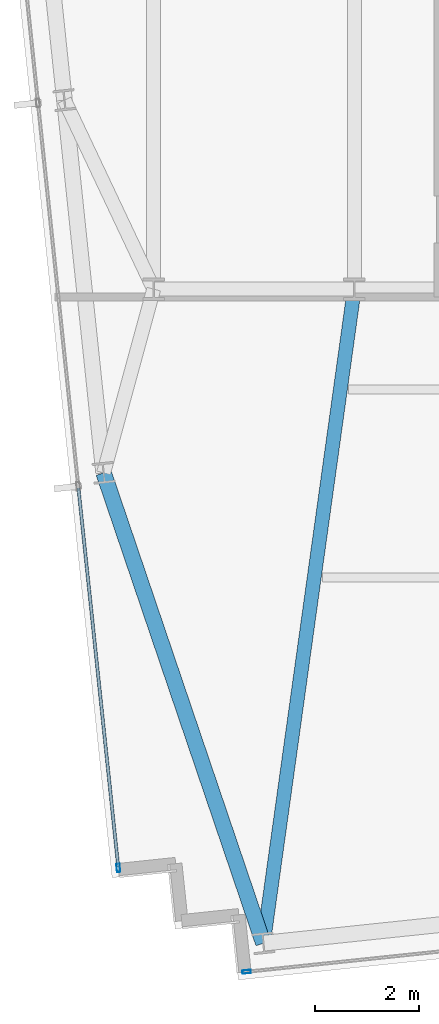
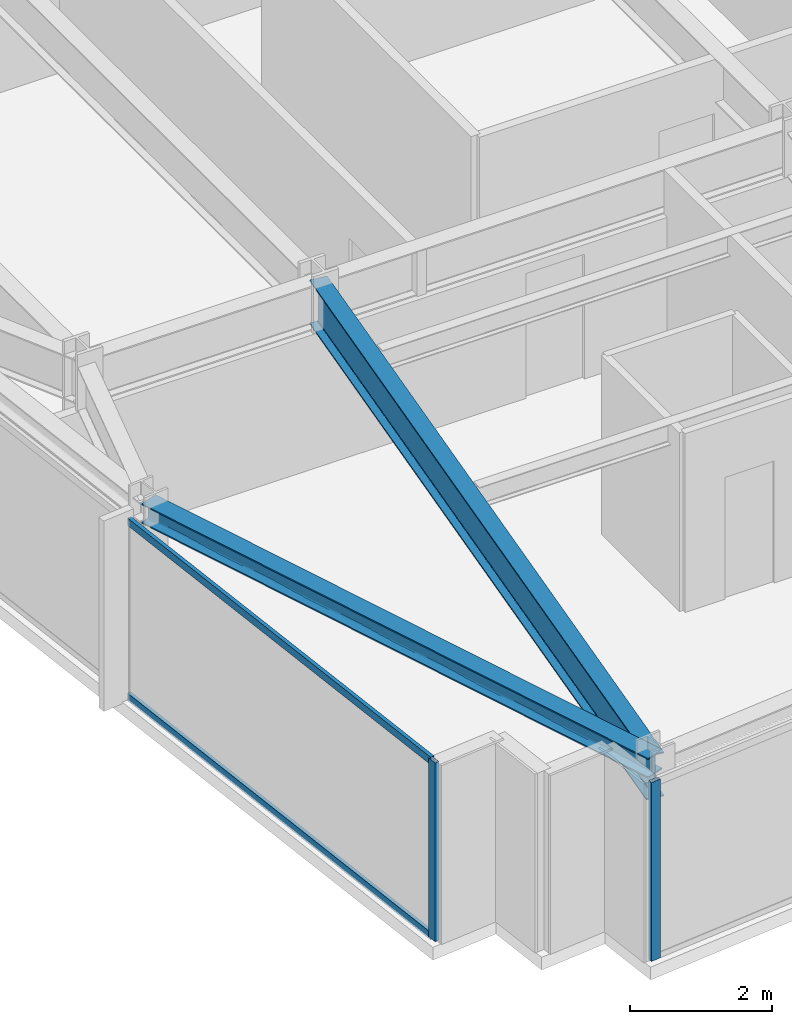
# One storey, part 2 of 33: 4 members, 2 beams, 2 elements without a shape of their own.
"""IFC4 building model written with IfcOpenShell, lengths in metres."""

import ifcopenshell
import ifcopenshell.guid

model = None  # the IFC model being written
_history = None  # IfcOwnerHistory: only IFC2X3 demands one
_inside = {}  # id of a spatial element -> (the spatial element, [elements in it])
_under = {}  # id of a project, library or spatial element -> (it, [spatial elements below it])
_declared = {}  # id of a project -> (the project, [libraries it declares])
_typed = {}  # id of a type object -> (the type object, [elements of that type])
_made_of = {}  # id of a material, layer set ... -> (it, [elements and type objects made of it])


def new_model(schema):
    """Start an empty IFC model of exactly this schema.

    Asked for "IFC4X3", IfcOpenShell would pick the latest addendum, in which some entities
    have other attributes; the version numbers below select the first issue.
    IFC2X3 requires an IfcOwnerHistory on every rooted entity: one is made here for all.
    """
    global model, _history
    if schema == "IFC4X3":
        model = ifcopenshell.file(schema_version=(4, 3, 0, 0))
    else:
        model = ifcopenshell.file(schema=schema)
    _inside.clear()
    _under.clear()
    _declared.clear()
    _typed.clear()
    _made_of.clear()
    _history = None
    if model.schema == "IFC2X3":
        org = make("IfcOrganization", Name="unknown")
        user = make(
            "IfcPersonAndOrganization",
            ThePerson=make("IfcPerson", FamilyName="unknown"),
            TheOrganization=org,
        )
        app = make(
            "IfcApplication",
            ApplicationDeveloper=org,
            Version="unknown",
            ApplicationFullName="unknown",
            ApplicationIdentifier="unknown",
        )
        _history = make(
            "IfcOwnerHistory",
            OwningUser=user,
            OwningApplication=app,
            ChangeAction="ADDED",
            CreationDate=0,
        )
    return model


def make(cls, **values):
    """One entity of the class cls with the attributes given. An attribute that is None is left unset."""
    return model.create_entity(
        cls, **{name: value for name, value in values.items() if value is not None}
    )


def rooted(cls, **values):
    """An entity with a GlobalId (a new one), such as an element, a storey or a relation."""
    return make(cls, GlobalId=ifcopenshell.guid.new(), OwnerHistory=_history, **values)


def si_unit(unit_type, name, prefix=None):
    """IfcSIUnit, for example si_unit("LENGTHUNIT", "METRE", prefix="MILLI")."""
    return make("IfcSIUnit", UnitType=unit_type, Prefix=prefix, Name=name)


def assignment(units):
    """IfcUnitAssignment: the units of a project."""
    return None if units is None else make("IfcUnitAssignment", Units=units)


def point(xyz):
    """IfcCartesianPoint."""
    return None if xyz is None else make("IfcCartesianPoint", Coordinates=xyz)


def direction(xyz):
    """IfcDirection."""
    return None if xyz is None else make("IfcDirection", DirectionRatios=xyz)


def frame(location, z_axis=None, x_axis=None):
    """IfcAxis2Placement3D, a coordinate frame: its origin and axes. An axis left out is left unset."""
    return make(
        "IfcAxis2Placement3D",
        Location=point(location),
        Axis=direction(z_axis),
        RefDirection=direction(x_axis),
    )


def frame_2d(location, x_axis=None):
    """IfcAxis2Placement2D, a coordinate frame in the plane: its origin and x axis."""
    return make(
        "IfcAxis2Placement2D", Location=point(location), RefDirection=direction(x_axis)
    )


def origin():
    """The frame at (0, 0, 0) with its axes left unset."""
    return frame((0.0, 0.0, 0.0))


def origin_2d():
    """The frame at (0, 0) in the plane with its x axis left unset."""
    return frame_2d((0.0, 0.0))


def place(relative_to, where):
    """IfcLocalPlacement: puts the frame where relative to a parent placement (None: the world)."""
    return make(
        "IfcLocalPlacement", PlacementRelTo=relative_to, RelativePlacement=where
    )


def context(
    kind, dimensions, precision=None, world=None, true_north=None, identifier=None
):
    """IfcGeometricRepresentationContext, for example the 3D "Model" context."""
    return make(
        "IfcGeometricRepresentationContext",
        ContextIdentifier=identifier,
        ContextType=kind,
        CoordinateSpaceDimension=dimensions,
        Precision=precision,
        WorldCoordinateSystem=world,
        TrueNorth=true_north,
    )


def subcontext(parent, identifier, kind, view, scale=None):
    """IfcGeometricRepresentationSubContext, for example "Body" below "Model"."""
    return make(
        "IfcGeometricRepresentationSubContext",
        ContextIdentifier=identifier,
        ContextType=kind,
        ParentContext=parent,
        TargetScale=scale,
        TargetView=view,
    )


def project(units=None, contexts=None):
    """IfcProject with its units and contexts."""
    return rooted(
        "IfcProject",
        Name="project",
        RepresentationContexts=contexts,
        UnitsInContext=assignment(units),
    )


def spatial(cls, under=None, at=None, **own):
    """A site, building, storey or space (cls), placed at a placement, below another one or the project."""
    s = rooted(cls, ObjectPlacement=at, **own)
    if under is not None:
        _under.setdefault(under.id(), (under, []))[1].append(s)
    return s


def profile(cls, at=None, kind="AREA", **sizes):
    """A parametric profile (cls). Its sizes go by their IFC names, for example OverallWidth=200.0."""
    return make(cls, ProfileType=kind, Position=at, **sizes)


def hollow_rectangle(**sizes):
    """IfcRectangleHollowProfileDef."""
    return profile("IfcRectangleHollowProfileDef", **sizes)


def i_section(**sizes):
    """IfcIShapeProfileDef."""
    return profile("IfcIShapeProfileDef", **sizes)


def extrude(swept, where, along, depth):
    """IfcExtrudedAreaSolid: the profile swept, set in the frame where, extruded along a direction by depth."""
    return make(
        "IfcExtrudedAreaSolid",
        SweptArea=swept,
        Position=where,
        ExtrudedDirection=direction(along),
        Depth=depth,
    )


def shape(context_of_items, identifier, shape_type, items):
    """IfcShapeRepresentation: the items that make up one representation, for example the "Body"."""
    return make(
        "IfcShapeRepresentation",
        ContextOfItems=context_of_items,
        RepresentationIdentifier=identifier,
        RepresentationType=shape_type,
        Items=items,
    )


def material(Name=None, Category=None):
    """IfcMaterial."""
    return make("IfcMaterial", Name=Name, Category=Category)


def material_profile(
    of_material, cross_section, Name=None, Category=None, Priority=None
):
    """IfcMaterialProfile: a cross section and its material."""
    return make(
        "IfcMaterialProfile",
        Name=Name,
        Material=of_material,
        Profile=cross_section,
        Priority=Priority,
        Category=Category,
    )


def profile_set(profiles, Name=None, composite=None):
    """IfcMaterialProfileSet."""
    return make(
        "IfcMaterialProfileSet",
        Name=Name,
        MaterialProfiles=profiles,
        CompositeProfile=composite,
    )


def made_of(thing, what):
    """Note that an element or type object is made of a material, layer set ...; save() writes the relation."""
    if what is not None:
        _made_of.setdefault(what.id(), (what, []))[1].append(thing)
    return thing


def type_object(cls, material=None, **own):
    """A type object (cls), such as IfcWallType, which elements share."""
    return made_of(rooted(cls, **own), material)


def element(
    cls,
    number,
    at=None,
    inside=None,
    cuts=None,
    type_object=None,
    material=None,
    context=None,
    identifier="Body",
    shape_type=None,
    held_by="IfcProductDefinitionShape",
    body=None,
    shapes=None,
    **own,
):
    """One element of the class cls, such as IfcWall. Its Tag is "e" and its number.

    at: its placement. inside: the storey or other place that contains it. cuts: it is an
    opening in that element (IfcRelVoidsElement). A single representation is given by context,
    identifier, shape_type and body (its items); several are given by shapes. held_by: the class
    of the entity that holds the representations. save() writes the other relations.
    """
    e = rooted(cls, Tag="e%d" % number, ObjectPlacement=at, **own)
    if body is not None:
        shapes = [shape(context, identifier, shape_type, body)]
    if shapes is not None:
        e.Representation = make(held_by, Representations=shapes)
    if inside is not None:
        _inside.setdefault(inside.id(), (inside, []))[1].append(e)
    if cuts is not None:
        rooted(
            "IfcRelVoidsElement", RelatingBuildingElement=cuts, RelatedOpeningElement=e
        )
    if type_object is not None:
        _typed.setdefault(type_object.id(), (type_object, []))[1].append(e)
    return made_of(e, material)


def aggregate(whole, parts):
    """IfcRelAggregates: a whole, such as a stair, and the parts it consists of."""
    return rooted("IfcRelAggregates", RelatingObject=whole, RelatedObjects=parts)


def save(model, path):
    """Write the relations noted so far, then the file.

    IfcRelAggregates (storeys below a building ...), IfcRelContainedInSpatialStructure (elements
    in a storey), IfcRelDefinesByType, IfcRelAssociatesMaterial and IfcRelDeclares: one each for
    every whole, place, type object, material and project.
    """
    for whole, parts in _under.values():
        aggregate(whole, parts)
    for where, things in _inside.values():
        rooted(
            "IfcRelContainedInSpatialStructure",
            RelatedElements=things,
            RelatingStructure=where,
        )
    for kind, things in _typed.values():
        rooted("IfcRelDefinesByType", RelatedObjects=things, RelatingType=kind)
    for what, things in _made_of.values():
        rooted("IfcRelAssociatesMaterial", RelatedObjects=things, RelatingMaterial=what)
    for by, libraries in _declared.values():
        rooted("IfcRelDeclares", RelatingContext=by, RelatedDefinitions=libraries)
    model.write(path)


model = new_model("IFC4")

# Units and contexts
model_context = context("Model", 3, precision=1e-05, world=origin(), true_north=direction((0.0, 1.0)))
body_context = subcontext(model_context, "Body", "Model", "MODEL_VIEW")
ifc_project = project(units=[si_unit("LENGTHUNIT", "METRE"), si_unit("AREAUNIT", "SQUARE_METRE"), si_unit("VOLUMEUNIT", "CUBIC_METRE"), si_unit("PLANEANGLEUNIT", "RADIAN"), si_unit("MASSUNIT", "GRAM", prefix="KILO")], contexts=[model_context])

# Site, building, storey
site_placement = place(None, origin())
site = spatial("IfcSite", under=ifc_project, at=site_placement, CompositionType="ELEMENT")
building_placement = place(site_placement, origin())
building = spatial("IfcBuilding", under=site, at=building_placement, Name="Yelkora Congress Tower", CompositionType="ELEMENT")
storey_placement = place(building_placement, frame((0.0, 0.0, 240.800048828125)))
storey = spatial("IfcBuildingStorey", under=building, at=storey_placement, Name="L67", CompositionType="ELEMENT", Elevation=240.800048828125)

# Beams
ifc_material_1 = material(Name="Steel S355J2", Category="steel")
ifc_material_profile_1 = material_profile(ifc_material_1, i_section(OverallWidth=0.26708984375, OverallDepth=0.761962890625, WebThickness=0.014404296875, FlangeThickness=0.021484375, FilletRadius=0.01708984375, at=origin_2d()), Name="IPE 750x173")
ifc_profile_set_1 = profile_set([ifc_material_profile_1], Name="Steel S355J2")
beam_type_1 = type_object("IfcBeamType", Name="BM-GIRD-IPE750", PredefinedType="BEAM", material=ifc_profile_set_1)
beam_1_placement = place(storey_placement, frame((21.299072265625, 12.678466796875, 2.698974609375), z_axis=(0.137713626184, 0.990472088028, 0.0), x_axis=(-0.990472088028, 0.137713626184, 0.0)))
element("IfcBeam", 1, at=beam_1_placement, inside=storey, type_object=beam_type_1, Name="L67 Primary Frame Girder S01", PredefinedType="BEAM", context=body_context, shape_type="SweptSolid", body=[
    extrude(i_section(OverallWidth=0.26708984375, OverallDepth=0.761962890625, WebThickness=0.014404296875, FlangeThickness=0.021484375, FilletRadius=0.01708984375, at=origin_2d()), origin(), (0.0, 0.0, 1.0), 12.641845703125),
])
ifc_material_profile_2 = material_profile(ifc_material_1, i_section(OverallWidth=0.300048828125, OverallDepth=0.340087890625, WebThickness=0.011962890625, FlangeThickness=0.021484375, FilletRadius=0.027099609375, at=origin_2d()), Name="HEB 340")
ifc_profile_set_2 = profile_set([ifc_material_profile_2], Name="Steel S355J2")
beam_type_2 = type_object("IfcBeamType", Name="BM-SPAN-HEB340", PredefinedType="SPANDREL", material=ifc_profile_set_2)
beam_2_placement = place(storey_placement, frame((18.2412109375, 21.68310546875, 2.909912109375), z_axis=(0.321552459514, -0.94689176561, 0.0), x_axis=(0.94689176561, 0.321552459514, 0.0)))
element("IfcBeam", 2, at=beam_2_placement, inside=storey, type_object=beam_type_2, Name="L67 Perimeter Beam 2", PredefinedType="SPANDREL", context=body_context, shape_type="SweptSolid", body=[
    extrude(i_section(OverallWidth=0.300048828125, OverallDepth=0.340087890625, WebThickness=0.011962890625, FlangeThickness=0.021484375, FilletRadius=0.027099609375, at=origin_2d()), origin(), (0.0, 0.0, 1.0), 9.509765625),
])

# Curtain wall, member
ifc_material_2 = material(Name="Anodised aluminium and insulated glass", Category="aluminium")
curtain_wall_type = type_object("IfcCurtainWallType", Name="CW-SYS-B4", PredefinedType="NOTDEFINED", material=ifc_material_2)
curtain_wall_1_placement = place(storey_placement, origin())
curtain_wall_1 = element("IfcCurtainWall", 3, at=curtain_wall_1_placement, inside=storey, type_object=curtain_wall_type, Name="L67 Unitised Curtain Wall 5", PredefinedType="NOTDEFINED")
ifc_material_3 = material(Name="Anodised aluminium 6063-T6", Category="aluminium")
ifc_material_profile_3 = material_profile(ifc_material_3, hollow_rectangle(XDim=0.06494140625, YDim=0.159912109375, WallThickness=0.00390625, at=origin_2d()), Name="ALU 65x160x4")
ifc_profile_set_3 = profile_set([ifc_material_profile_3], Name="Anodised aluminium 6063-T6")
member_type_1 = type_object("IfcMemberType", Name="MEM-ML-B4", PredefinedType="MULLION", material=ifc_profile_set_3)
member_1_placement = place(storey_placement, frame((18.523193359375, 14.118896484375, 0.0), z_axis=(0.0, 0.0, 1.0), x_axis=(-0.994522145958, -0.104526079034, 0.0)))
member_1 = element("IfcMember", 4, at=member_1_placement, type_object=member_type_1, Name="CW-B4 mullion 1", PredefinedType="MULLION", context=body_context, shape_type="SweptSolid", body=[
    extrude(hollow_rectangle(XDim=0.06494140625, YDim=0.159912109375, WallThickness=0.00390625, at=origin_2d()), origin(), (0.0, 0.0, 1.0), 3.079833984375),
])

curtain_wall_2_placement = place(storey_placement, origin())
curtain_wall_2 = element("IfcCurtainWall", 5, at=curtain_wall_2_placement, inside=storey, type_object=curtain_wall_type, Name="L67 Unitised Curtain Wall 20", PredefinedType="NOTDEFINED")
member_2_placement = place(storey_placement, frame((20.976806640625, 12.1318359375, 0.0), z_axis=(0.0, 0.0, 1.0), x_axis=(0.104526664994, -0.994522084373, 0.0)))
member_2 = element("IfcMember", 6, at=member_2_placement, type_object=member_type_1, Name="CW-B4 mullion 8", PredefinedType="MULLION", context=body_context, shape_type="SweptSolid", body=[
    extrude(hollow_rectangle(XDim=0.06494140625, YDim=0.159912109375, WallThickness=0.00390625, at=origin_2d()), origin(), (0.0, 0.0, 1.0), 3.079833984375),
])
aggregate(curtain_wall_2, [member_2])

# Member
ifc_material_profile_4 = material_profile(ifc_material_3, hollow_rectangle(XDim=0.06005859375, YDim=0.1298828125, WallThickness=0.00390625, at=origin_2d()), Name="ALU 60x130x4")
ifc_profile_set_4 = profile_set([ifc_material_profile_4], Name="Anodised aluminium 6063-T6")
member_type_2 = type_object("IfcMemberType", Name="MEM-TR-B4", PredefinedType="USERDEFINED", material=ifc_profile_set_4)
member_3_placement = place(storey_placement, frame((18.52001953125, 14.151123046875, 0.030029296875), z_axis=(-0.104527725728, 0.994521972886, 0.0), x_axis=(-0.994521972886, -0.104527725728, 0.0)))
member_3 = element("IfcMember", 7, at=member_3_placement, type_object=member_type_2, Name="CW-B4 transom 1.1", ObjectType="TRANSOM", PredefinedType="USERDEFINED", context=body_context, shape_type="SweptSolid", body=[
    extrude(hollow_rectangle(XDim=0.06005859375, YDim=0.1298828125, WallThickness=0.00390625, at=origin_2d()), origin(), (0.0, 0.0, 1.0), 7.282470703125),
])

member_4_placement = place(storey_placement, frame((18.52001953125, 14.151123046875, 3.050048828125), z_axis=(-0.104527725728, 0.994521972886, 0.0), x_axis=(-0.994521972886, -0.104527725728, 0.0)))
member_4 = element("IfcMember", 8, at=member_4_placement, type_object=member_type_2, Name="CW-B4 transom 1.2", ObjectType="TRANSOM", PredefinedType="USERDEFINED", context=body_context, shape_type="SweptSolid", body=[
    extrude(hollow_rectangle(XDim=0.06005859375, YDim=0.1298828125, WallThickness=0.00390625, at=origin_2d()), origin(), (0.0, 0.0, 1.0), 7.282470703125),
])

aggregate(curtain_wall_1, [member_1, member_3, member_4])

save(model, "model.ifc")
